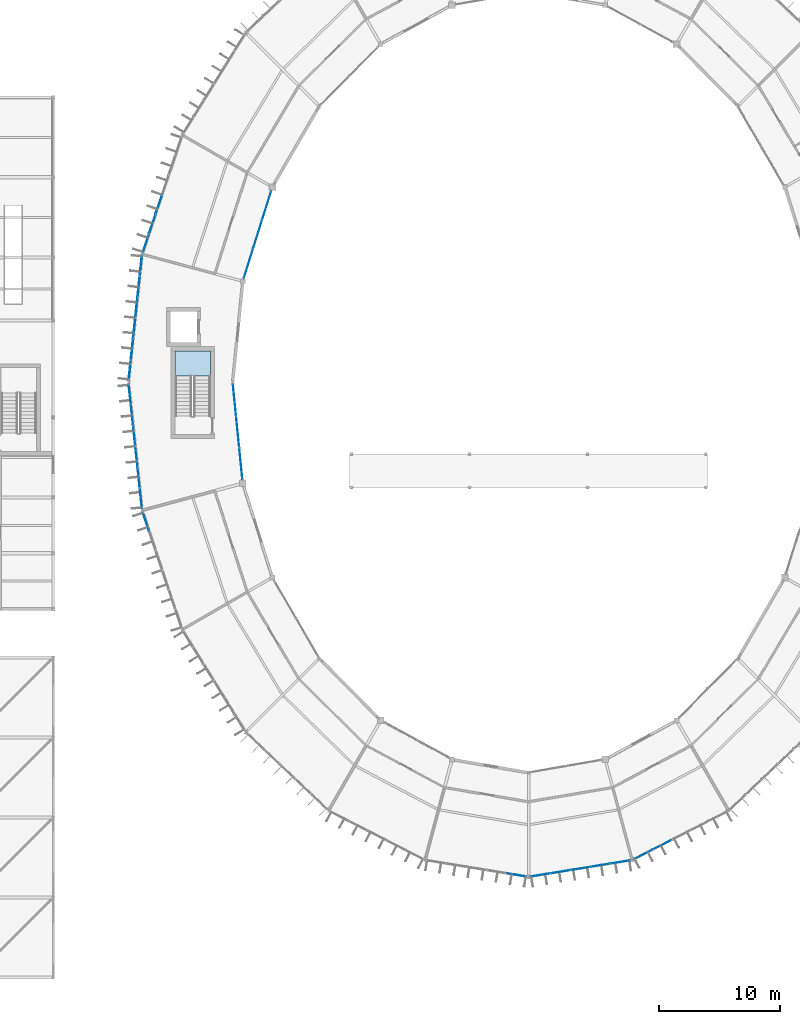
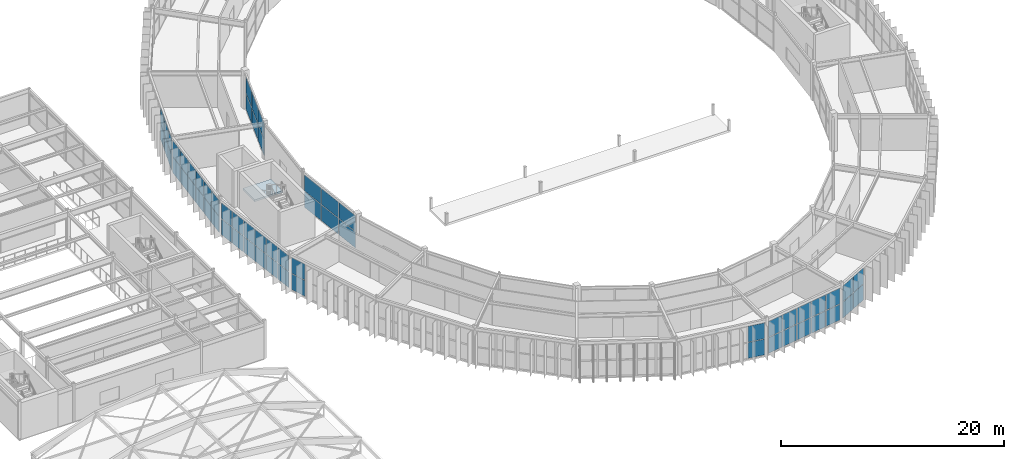
# One storey, part 114 of 157: 60 plates, 1 slab, 10 elements without a shape of their own.
"""IFC4 building model written with IfcOpenShell, lengths in metres."""

from ifc_helpers import new_model, si_unit, direction, frame, origin, origin_2d, place, context, subcontext, project, spatial, polyline, rectangle, outline, extrude, material, layer, layer_set, type_object, element, aggregate, save


model = new_model("IFC4")

# Units and contexts
model_context = context("Model", 3, precision=1e-05, world=origin(), true_north=direction((0.0, 1.0)))
body_context = subcontext(model_context, "Body", "Model", "MODEL_VIEW")
ifc_project = project(units=[si_unit("LENGTHUNIT", "METRE"), si_unit("AREAUNIT", "SQUARE_METRE"), si_unit("VOLUMEUNIT", "CUBIC_METRE"), si_unit("PLANEANGLEUNIT", "RADIAN"), si_unit("MASSUNIT", "GRAM", prefix="KILO")], contexts=[model_context])

# Site, building, storey
site_placement = place(None, origin())
site = spatial("IfcSite", under=ifc_project, at=site_placement, CompositionType="ELEMENT")
building_placement = place(site_placement, origin())
building = spatial("IfcBuilding", under=site, at=building_placement, Name="Karori Crest Natural Sciences Institute", CompositionType="ELEMENT")
storey_placement = place(building_placement, frame((0.0, 0.0, 13.300048828125)))
storey = spatial("IfcBuildingStorey", under=building, at=storey_placement, Name="L03", CompositionType="ELEMENT", Elevation=13.300048828125)

# Curtain wall, plates
ifc_material_1 = material(Name="Anodised architectural aluminium 6063-T6", Category="aluminium")
curtain_wall_type_1 = type_object("IfcCurtainWallType", Name="CWT-11", PredefinedType="NOTDEFINED", material=ifc_material_1)
curtain_wall_1_placement = place(storey_placement, origin())
curtain_wall_1 = element("IfcCurtainWall", 1, at=curtain_wall_1_placement, inside=storey, type_object=curtain_wall_type_1, Name="Curtain wall CW-0116", PredefinedType="NOTDEFINED")
ifc_material_2 = material(Name="Double low-E laminated glass", Category="glass")
ifc_layer_1 = layer(ifc_material_2, 0.02392578125, Name="Double low-E laminated glass")
ifc_layer_set_1 = layer_set([ifc_layer_1], Name="Double low-E laminated glass")
plate_type_1 = type_object("IfcPlateType", Name="CWP-01", PredefinedType="CURTAIN_PANEL", material=ifc_layer_set_1)
plate_1_placement = place(storey_placement, frame((44.796875, 64.49560546875, 0.06005859375), z_axis=(0.0, 0.0, 1.0), x_axis=(-0.299475254154, -0.954104067778, 0.0)))
plate_1 = element("IfcPlate", 2, at=plate_1_placement, type_object=plate_type_1, Name="CW-0116 panel 1.1", PredefinedType="CURTAIN_PANEL", context=body_context, shape_type="SweptSolid", body=[
    extrude(rectangle(XDim=2.451171875, YDim=0.02392578125, at=origin_2d()), origin(), (0.0, 0.0, 1.0), 1.735107421875),
])
plate_2_placement = place(storey_placement, frame((44.796875, 64.49560546875, 1.85498046875), z_axis=(0.0, 0.0, 1.0), x_axis=(-0.299475254154, -0.954104067778, 0.0)))
plate_2 = element("IfcPlate", 3, at=plate_2_placement, type_object=plate_type_1, Name="CW-0116 panel 1.2", PredefinedType="CURTAIN_PANEL", context=body_context, shape_type="SweptSolid", body=[
    extrude(rectangle(XDim=2.451171875, YDim=0.02392578125, at=origin_2d()), origin(), (0.0, 0.0, 1.0), 1.735107421875),
])
plate_3_placement = place(storey_placement, frame((44.038330078125, 62.07958984375, 0.06005859375), z_axis=(0.0, 0.0, 1.0), x_axis=(-0.299475254154, -0.954104067778, 0.0)))
plate_3 = element("IfcPlate", 4, at=plate_3_placement, type_object=plate_type_1, Name="CW-0116 panel 2.1", PredefinedType="CURTAIN_PANEL", context=body_context, shape_type="SweptSolid", body=[
    extrude(rectangle(XDim=2.483642578125, YDim=0.02392578125, at=origin_2d()), origin(), (0.0, 0.0, 1.0), 1.735107421875),
])
plate_4_placement = place(storey_placement, frame((44.038330078125, 62.07958984375, 1.85498046875), z_axis=(0.0, 0.0, 1.0), x_axis=(-0.299475254154, -0.954104067778, 0.0)))
plate_4 = element("IfcPlate", 5, at=plate_4_placement, type_object=plate_type_1, Name="CW-0116 panel 2.2", PredefinedType="CURTAIN_PANEL", context=body_context, shape_type="SweptSolid", body=[
    extrude(rectangle(XDim=2.483642578125, YDim=0.02392578125, at=origin_2d()), origin(), (0.0, 0.0, 1.0), 1.735107421875),
])
plate_5_placement = place(storey_placement, frame((43.280029296875, 59.663330078125, 0.06005859375), z_axis=(0.0, 0.0, 1.0), x_axis=(-0.299475254154, -0.954104067778, 0.0)))
plate_5 = element("IfcPlate", 6, at=plate_5_placement, type_object=plate_type_1, Name="CW-0116 panel 3.1", PredefinedType="CURTAIN_PANEL", context=body_context, shape_type="SweptSolid", body=[
    extrude(rectangle(XDim=2.451171875, YDim=0.02392578125, at=origin_2d()), origin(), (0.0, 0.0, 1.0), 1.735107421875),
])
plate_6_placement = place(storey_placement, frame((43.280029296875, 59.663330078125, 1.85498046875), z_axis=(0.0, 0.0, 1.0), x_axis=(-0.299475254154, -0.954104067778, 0.0)))
plate_6 = element("IfcPlate", 7, at=plate_6_placement, type_object=plate_type_1, Name="CW-0116 panel 3.2", PredefinedType="CURTAIN_PANEL", context=body_context, shape_type="SweptSolid", body=[
    extrude(rectangle(XDim=2.451171875, YDim=0.02392578125, at=origin_2d()), origin(), (0.0, 0.0, 1.0), 1.735107421875),
])
aggregate(curtain_wall_1, [plate_1, plate_2, plate_3, plate_4, plate_5, plate_6])

curtain_wall_type_2 = type_object("IfcCurtainWallType", Name="CWT-03", PredefinedType="NOTDEFINED", material=ifc_material_1)
curtain_wall_2_placement = place(storey_placement, origin())
curtain_wall_2 = element("IfcCurtainWall", 8, at=curtain_wall_2_placement, inside=storey, type_object=curtain_wall_type_2, Name="Curtain wall CW-0118", PredefinedType="NOTDEFINED")
plate_7_placement = place(storey_placement, frame((34.41796875, 40.34033203125, 0.06494140625), z_axis=(0.0, 0.0, 1.0), x_axis=(-0.105884496939, 0.994378435661, 0.0)))
plate_7 = element("IfcPlate", 9, at=plate_7_placement, type_object=plate_type_1, Name="CW-0118 panel 1.1", PredefinedType="CURTAIN_PANEL", context=body_context, shape_type="SweptSolid", body=[
    extrude(rectangle(XDim=1.630126953125, YDim=0.02392578125, at=origin_2d()), origin(), (0.0, 0.0, 1.0), 1.715087890625),
])
plate_8_placement = place(storey_placement, frame((34.41796875, 40.34033203125, 1.8447265625), z_axis=(0.0, 0.0, 1.0), x_axis=(-0.105884496939, 0.994378435661, 0.0)))
plate_8 = element("IfcPlate", 10, at=plate_8_placement, type_object=plate_type_1, Name="CW-0118 panel 1.2", PredefinedType="CURTAIN_PANEL", context=body_context, shape_type="SweptSolid", body=[
    extrude(rectangle(XDim=1.630126953125, YDim=0.02392578125, at=origin_2d()), origin(), (0.0, 0.0, 1.0), 1.715087890625),
])
plate_9_placement = place(storey_placement, frame((34.23681640625, 42.0419921875, 0.06494140625), z_axis=(0.0, 0.0, 1.0), x_axis=(-0.105884496939, 0.994378435661, 0.0)))
plate_9 = element("IfcPlate", 11, at=plate_9_placement, type_object=plate_type_1, Name="CW-0118 panel 2.1", PredefinedType="CURTAIN_PANEL", context=body_context, shape_type="SweptSolid", body=[
    extrude(rectangle(XDim=1.66259765625, YDim=0.02392578125, at=origin_2d()), origin(), (0.0, 0.0, 1.0), 1.715087890625),
])
plate_10_placement = place(storey_placement, frame((34.23681640625, 42.0419921875, 1.8447265625), z_axis=(0.0, 0.0, 1.0), x_axis=(-0.105884496939, 0.994378435661, 0.0)))
plate_10 = element("IfcPlate", 12, at=plate_10_placement, type_object=plate_type_1, Name="CW-0118 panel 2.2", PredefinedType="CURTAIN_PANEL", context=body_context, shape_type="SweptSolid", body=[
    extrude(rectangle(XDim=1.66259765625, YDim=0.02392578125, at=origin_2d()), origin(), (0.0, 0.0, 1.0), 1.715087890625),
])
plate_11_placement = place(storey_placement, frame((34.0537109375, 43.759765625, 0.06494140625), z_axis=(0.0, 0.0, 1.0), x_axis=(-0.105884496939, 0.994378435661, 0.0)))
plate_11 = element("IfcPlate", 13, at=plate_11_placement, type_object=plate_type_1, Name="CW-0118 panel 3.1", PredefinedType="CURTAIN_PANEL", context=body_context, shape_type="SweptSolid", body=[
    extrude(rectangle(XDim=1.66259765625, YDim=0.02392578125, at=origin_2d()), origin(), (0.0, 0.0, 1.0), 1.715087890625),
])
plate_12_placement = place(storey_placement, frame((34.0537109375, 43.759765625, 1.8447265625), z_axis=(0.0, 0.0, 1.0), x_axis=(-0.105884496939, 0.994378435661, 0.0)))
plate_12 = element("IfcPlate", 14, at=plate_12_placement, type_object=plate_type_1, Name="CW-0118 panel 3.2", PredefinedType="CURTAIN_PANEL", context=body_context, shape_type="SweptSolid", body=[
    extrude(rectangle(XDim=1.66259765625, YDim=0.02392578125, at=origin_2d()), origin(), (0.0, 0.0, 1.0), 1.715087890625),
])
plate_13_placement = place(storey_placement, frame((33.870849609375, 45.4775390625, 0.06494140625), z_axis=(0.0, 0.0, 1.0), x_axis=(-0.105884496939, 0.994378435661, 0.0)))
plate_13 = element("IfcPlate", 15, at=plate_13_placement, type_object=plate_type_1, Name="CW-0118 panel 4.1", PredefinedType="CURTAIN_PANEL", context=body_context, shape_type="SweptSolid", body=[
    extrude(rectangle(XDim=1.66259765625, YDim=0.02392578125, at=origin_2d()), origin(), (0.0, 0.0, 1.0), 1.715087890625),
])
plate_14_placement = place(storey_placement, frame((33.870849609375, 45.4775390625, 1.8447265625), z_axis=(0.0, 0.0, 1.0), x_axis=(-0.105884496939, 0.994378435661, 0.0)))
plate_14 = element("IfcPlate", 16, at=plate_14_placement, type_object=plate_type_1, Name="CW-0118 panel 4.2", PredefinedType="CURTAIN_PANEL", context=body_context, shape_type="SweptSolid", body=[
    extrude(rectangle(XDim=1.66259765625, YDim=0.02392578125, at=origin_2d()), origin(), (0.0, 0.0, 1.0), 1.715087890625),
])
plate_15_placement = place(storey_placement, frame((33.68798828125, 47.1953125, 0.06494140625), z_axis=(0.0, 0.0, 1.0), x_axis=(-0.105884496939, 0.994378435661, 0.0)))
plate_15 = element("IfcPlate", 17, at=plate_15_placement, type_object=plate_type_1, Name="CW-0118 panel 5.1", PredefinedType="CURTAIN_PANEL", context=body_context, shape_type="SweptSolid", body=[
    extrude(rectangle(XDim=1.66259765625, YDim=0.02392578125, at=origin_2d()), origin(), (0.0, 0.0, 1.0), 1.715087890625),
])
plate_16_placement = place(storey_placement, frame((33.68798828125, 47.1953125, 1.8447265625), z_axis=(0.0, 0.0, 1.0), x_axis=(-0.105884496939, 0.994378435661, 0.0)))
plate_16 = element("IfcPlate", 18, at=plate_16_placement, type_object=plate_type_1, Name="CW-0118 panel 5.2", PredefinedType="CURTAIN_PANEL", context=body_context, shape_type="SweptSolid", body=[
    extrude(rectangle(XDim=1.66259765625, YDim=0.02392578125, at=origin_2d()), origin(), (0.0, 0.0, 1.0), 1.715087890625),
])
plate_17_placement = place(storey_placement, frame((33.5068359375, 48.89697265625, 0.06494140625), z_axis=(0.0, 0.0, 1.0), x_axis=(-0.105884496939, 0.994378435661, 0.0)))
plate_17 = element("IfcPlate", 19, at=plate_17_placement, type_object=plate_type_1, Name="CW-0118 panel 6.1", PredefinedType="CURTAIN_PANEL", context=body_context, shape_type="SweptSolid", body=[
    extrude(rectangle(XDim=1.630126953125, YDim=0.02392578125, at=origin_2d()), origin(), (0.0, 0.0, 1.0), 1.715087890625),
])
plate_18_placement = place(storey_placement, frame((33.5068359375, 48.89697265625, 1.8447265625), z_axis=(0.0, 0.0, 1.0), x_axis=(-0.105884496939, 0.994378435661, 0.0)))
plate_18 = element("IfcPlate", 20, at=plate_18_placement, type_object=plate_type_1, Name="CW-0118 panel 6.2", PredefinedType="CURTAIN_PANEL", context=body_context, shape_type="SweptSolid", body=[
    extrude(rectangle(XDim=1.630126953125, YDim=0.02392578125, at=origin_2d()), origin(), (0.0, 0.0, 1.0), 1.715087890625),
])
aggregate(curtain_wall_2, [plate_7, plate_8, plate_9, plate_10, plate_11, plate_12, plate_13, plate_14, plate_15, plate_16, plate_17, plate_18])

curtain_wall_type_3 = type_object("IfcCurtainWallType", Name="CWT-13", PredefinedType="NOTDEFINED", material=ifc_material_1)
curtain_wall_3_placement = place(storey_placement, origin())
curtain_wall_3 = element("IfcCurtainWall", 21, at=curtain_wall_3_placement, inside=storey, type_object=curtain_wall_type_3, Name="Curtain wall CW-0119", PredefinedType="NOTDEFINED")
plate_19_placement = place(storey_placement, frame((42.144287109375, 48.45458984375, 0.06005859375), z_axis=(0.0, 0.0, 1.0), x_axis=(0.099268494275, -0.995060684604, 0.0)))
plate_19 = element("IfcPlate", 22, at=plate_19_placement, type_object=plate_type_1, Name="CW-0119 panel 1.1", PredefinedType="CURTAIN_PANEL", context=body_context, shape_type="SweptSolid", body=[
    extrude(rectangle(XDim=2.568359375, YDim=0.02392578125, at=origin_2d()), origin(), (0.0, 0.0, 1.0), 1.735107421875),
])
plate_20_placement = place(storey_placement, frame((42.144287109375, 48.45458984375, 1.85498046875), z_axis=(0.0, 0.0, 1.0), x_axis=(0.099268494275, -0.995060684604, 0.0)))
plate_20 = element("IfcPlate", 23, at=plate_20_placement, type_object=plate_type_1, Name="CW-0119 panel 1.2", PredefinedType="CURTAIN_PANEL", context=body_context, shape_type="SweptSolid", body=[
    extrude(rectangle(XDim=2.568359375, YDim=0.02392578125, at=origin_2d()), origin(), (0.0, 0.0, 1.0), 1.735107421875),
])
plate_21_placement = place(storey_placement, frame((42.4072265625, 45.818115234375, 0.06005859375), z_axis=(0.0, 0.0, 1.0), x_axis=(0.099268494275, -0.995060684604, 0.0)))
plate_21 = element("IfcPlate", 24, at=plate_21_placement, type_object=plate_type_1, Name="CW-0119 panel 2.1", PredefinedType="CURTAIN_PANEL", context=body_context, shape_type="SweptSolid", body=[
    extrude(rectangle(XDim=2.600830078125, YDim=0.02392578125, at=origin_2d()), origin(), (0.0, 0.0, 1.0), 1.735107421875),
])
plate_22_placement = place(storey_placement, frame((42.4072265625, 45.818115234375, 1.85498046875), z_axis=(0.0, 0.0, 1.0), x_axis=(0.099268494275, -0.995060684604, 0.0)))
plate_22 = element("IfcPlate", 25, at=plate_22_placement, type_object=plate_type_1, Name="CW-0119 panel 2.2", PredefinedType="CURTAIN_PANEL", context=body_context, shape_type="SweptSolid", body=[
    extrude(rectangle(XDim=2.600830078125, YDim=0.02392578125, at=origin_2d()), origin(), (0.0, 0.0, 1.0), 1.735107421875),
])
plate_23_placement = place(storey_placement, frame((42.670166015625, 43.181396484375, 0.06005859375), z_axis=(0.0, 0.0, 1.0), x_axis=(0.099268494275, -0.995060684604, 0.0)))
plate_23 = element("IfcPlate", 26, at=plate_23_placement, type_object=plate_type_1, Name="CW-0119 panel 3.1", PredefinedType="CURTAIN_PANEL", context=body_context, shape_type="SweptSolid", body=[
    extrude(rectangle(XDim=2.568359375, YDim=0.02392578125, at=origin_2d()), origin(), (0.0, 0.0, 1.0), 1.735107421875),
])
plate_24_placement = place(storey_placement, frame((42.670166015625, 43.181396484375, 1.85498046875), z_axis=(0.0, 0.0, 1.0), x_axis=(0.099268494275, -0.995060684604, 0.0)))
plate_24 = element("IfcPlate", 27, at=plate_24_placement, type_object=plate_type_1, Name="CW-0119 panel 3.2", PredefinedType="CURTAIN_PANEL", context=body_context, shape_type="SweptSolid", body=[
    extrude(rectangle(XDim=2.568359375, YDim=0.02392578125, at=origin_2d()), origin(), (0.0, 0.0, 1.0), 1.735107421875),
])
aggregate(curtain_wall_3, [plate_19, plate_20, plate_21, plate_22, plate_23, plate_24])

curtain_wall_type_4 = type_object("IfcCurtainWallType", Name="CWT-09", PredefinedType="NOTDEFINED", material=ifc_material_1)
curtain_wall_4_placement = place(storey_placement, origin())
curtain_wall_4 = element("IfcCurtainWall", 28, at=curtain_wall_4_placement, inside=storey, type_object=curtain_wall_type_4, Name="Curtain wall CW-0127", PredefinedType="NOTDEFINED")
plate_25_placement = place(storey_placement, frame((73.970947265625, 10.332275390625, 0.06494140625), z_axis=(0.0, 0.0, 1.0), x_axis=(-0.987011397252, -0.160650246484, 0.0)))
plate_25 = element("IfcPlate", 29, at=plate_25_placement, type_object=plate_type_1, Name="CW-0127 panel 1.1", PredefinedType="CURTAIN_PANEL", context=body_context, shape_type="SweptSolid", body=[
    extrude(rectangle(XDim=1.582275390625, YDim=0.02392578125, at=origin_2d()), origin(), (0.0, 0.0, 1.0), 1.715087890625),
])
plate_26_placement = place(storey_placement, frame((73.970947265625, 10.332275390625, 1.8447265625), z_axis=(0.0, 0.0, 1.0), x_axis=(-0.987011397252, -0.160650246484, 0.0)))
plate_26 = element("IfcPlate", 30, at=plate_26_placement, type_object=plate_type_1, Name="CW-0127 panel 1.2", PredefinedType="CURTAIN_PANEL", context=body_context, shape_type="SweptSolid", body=[
    extrude(rectangle(XDim=1.582275390625, YDim=0.02392578125, at=origin_2d()), origin(), (0.0, 0.0, 1.0), 1.715087890625),
])
plate_27_placement = place(storey_placement, frame((72.328857421875, 10.06494140625, 0.06494140625), z_axis=(0.0, 0.0, 1.0), x_axis=(-0.987011397252, -0.160650246484, 0.0)))
plate_27 = element("IfcPlate", 31, at=plate_27_placement, type_object=plate_type_1, Name="CW-0127 panel 2.1", PredefinedType="CURTAIN_PANEL", context=body_context, shape_type="SweptSolid", body=[
    extrude(rectangle(XDim=1.61474609375, YDim=0.02392578125, at=origin_2d()), origin(), (0.0, 0.0, 1.0), 1.715087890625),
])
plate_28_placement = place(storey_placement, frame((72.328857421875, 10.06494140625, 1.8447265625), z_axis=(0.0, 0.0, 1.0), x_axis=(-0.987011397252, -0.160650246484, 0.0)))
plate_28 = element("IfcPlate", 32, at=plate_28_placement, type_object=plate_type_1, Name="CW-0127 panel 2.2", PredefinedType="CURTAIN_PANEL", context=body_context, shape_type="SweptSolid", body=[
    extrude(rectangle(XDim=1.61474609375, YDim=0.02392578125, at=origin_2d()), origin(), (0.0, 0.0, 1.0), 1.715087890625),
])
plate_29_placement = place(storey_placement, frame((70.6708984375, 9.795166015625, 0.06494140625), z_axis=(0.0, 0.0, 1.0), x_axis=(-0.987011397252, -0.160650246484, 0.0)))
plate_29 = element("IfcPlate", 33, at=plate_29_placement, type_object=plate_type_1, Name="CW-0127 panel 3.1", PredefinedType="CURTAIN_PANEL", context=body_context, shape_type="SweptSolid", body=[
    extrude(rectangle(XDim=1.61474609375, YDim=0.02392578125, at=origin_2d()), origin(), (0.0, 0.0, 1.0), 1.715087890625),
])
plate_30_placement = place(storey_placement, frame((70.6708984375, 9.795166015625, 1.8447265625), z_axis=(0.0, 0.0, 1.0), x_axis=(-0.987011397252, -0.160650246484, 0.0)))
plate_30 = element("IfcPlate", 34, at=plate_30_placement, type_object=plate_type_1, Name="CW-0127 panel 3.2", PredefinedType="CURTAIN_PANEL", context=body_context, shape_type="SweptSolid", body=[
    extrude(rectangle(XDim=1.61474609375, YDim=0.02392578125, at=origin_2d()), origin(), (0.0, 0.0, 1.0), 1.715087890625),
])
plate_31_placement = place(storey_placement, frame((69.012939453125, 9.525390625, 0.06494140625), z_axis=(0.0, 0.0, 1.0), x_axis=(-0.987011397252, -0.160650246484, 0.0)))
plate_31 = element("IfcPlate", 35, at=plate_31_placement, type_object=plate_type_1, Name="CW-0127 panel 4.1", PredefinedType="CURTAIN_PANEL", context=body_context, shape_type="SweptSolid", body=[
    extrude(rectangle(XDim=1.61474609375, YDim=0.02392578125, at=origin_2d()), origin(), (0.0, 0.0, 1.0), 1.715087890625),
])
plate_32_placement = place(storey_placement, frame((69.012939453125, 9.525390625, 1.8447265625), z_axis=(0.0, 0.0, 1.0), x_axis=(-0.987011397252, -0.160650246484, 0.0)))
plate_32 = element("IfcPlate", 36, at=plate_32_placement, type_object=plate_type_1, Name="CW-0127 panel 4.2", PredefinedType="CURTAIN_PANEL", context=body_context, shape_type="SweptSolid", body=[
    extrude(rectangle(XDim=1.61474609375, YDim=0.02392578125, at=origin_2d()), origin(), (0.0, 0.0, 1.0), 1.715087890625),
])
plate_33_placement = place(storey_placement, frame((67.37109375, 9.258056640625, 0.06494140625), z_axis=(0.0, 0.0, 1.0), x_axis=(-0.987011397252, -0.160650246484, 0.0)))
plate_33 = element("IfcPlate", 37, at=plate_33_placement, type_object=plate_type_1, Name="CW-0127 panel 5.1", PredefinedType="CURTAIN_PANEL", context=body_context, shape_type="SweptSolid", body=[
    extrude(rectangle(XDim=1.582275390625, YDim=0.02392578125, at=origin_2d()), origin(), (0.0, 0.0, 1.0), 1.715087890625),
])
plate_34_placement = place(storey_placement, frame((67.37109375, 9.258056640625, 1.8447265625), z_axis=(0.0, 0.0, 1.0), x_axis=(-0.987011397252, -0.160650246484, 0.0)))
plate_34 = element("IfcPlate", 38, at=plate_34_placement, type_object=plate_type_1, Name="CW-0127 panel 5.2", PredefinedType="CURTAIN_PANEL", context=body_context, shape_type="SweptSolid", body=[
    extrude(rectangle(XDim=1.582275390625, YDim=0.02392578125, at=origin_2d()), origin(), (0.0, 0.0, 1.0), 1.715087890625),
])
aggregate(curtain_wall_4, [plate_25, plate_26, plate_27, plate_28, plate_29, plate_30, plate_31, plate_32, plate_33, plate_34])

curtain_wall_type_5 = type_object("IfcCurtainWallType", Name="CWT-01", PredefinedType="NOTDEFINED", material=ifc_material_1)
curtain_wall_5_placement = place(storey_placement, origin())
curtain_wall_5 = element("IfcCurtainWall", 39, at=curtain_wall_5_placement, inside=storey, type_object=curtain_wall_type_5, Name="Curtain wall CW-0115", PredefinedType="NOTDEFINED")
ifc_layer_2 = layer(ifc_material_2, 0.033935546875, Name="Double low-E laminated glass")
ifc_layer_set_2 = layer_set([ifc_layer_2], Name="Double low-E laminated glass")
plate_type_2 = type_object("IfcPlateType", Name="CWP-02", PredefinedType="CURTAIN_PANEL", material=ifc_layer_set_2)
plate_35_placement = place(storey_placement, frame((34.8251953125, 61.357421875, 0.06494140625), z_axis=(0.0, 0.0, 1.0), x_axis=(0.317679803392, 0.94819805026, 0.0)))
plate_35 = element("IfcPlate", 40, at=plate_35_placement, type_object=plate_type_2, Name="CW-0115 panel 1.1", PredefinedType="CURTAIN_PANEL", context=body_context, shape_type="SweptSolid", body=[
    extrude(rectangle(XDim=1.59619140625, YDim=0.033935546875, at=origin_2d()), origin(), (0.0, 0.0, 1.0), 1.715087890625),
])
plate_36_placement = place(storey_placement, frame((34.8251953125, 61.357421875, 1.8447265625), z_axis=(0.0, 0.0, 1.0), x_axis=(0.317679803392, 0.94819805026, 0.0)))
plate_36 = element("IfcPlate", 41, at=plate_36_placement, type_object=plate_type_2, Name="CW-0115 panel 1.2", PredefinedType="CURTAIN_PANEL", context=body_context, shape_type="SweptSolid", body=[
    extrude(rectangle(XDim=1.59619140625, YDim=0.033935546875, at=origin_2d()), origin(), (0.0, 0.0, 1.0), 1.715087890625),
])
plate_37_placement = place(storey_placement, frame((35.35791015625, 62.947998046875, 0.06494140625), z_axis=(0.0, 0.0, 1.0), x_axis=(0.317679803392, 0.94819805026, 0.0)))
plate_37 = element("IfcPlate", 42, at=plate_37_placement, type_object=plate_type_2, Name="CW-0115 panel 2.1", PredefinedType="CURTAIN_PANEL", context=body_context, shape_type="SweptSolid", body=[
    extrude(rectangle(XDim=1.628662109375, YDim=0.033935546875, at=origin_2d()), origin(), (0.0, 0.0, 1.0), 1.715087890625),
])
plate_38_placement = place(storey_placement, frame((35.35791015625, 62.947998046875, 1.8447265625), z_axis=(0.0, 0.0, 1.0), x_axis=(0.317679803392, 0.94819805026, 0.0)))
plate_38 = element("IfcPlate", 43, at=plate_38_placement, type_object=plate_type_2, Name="CW-0115 panel 2.2", PredefinedType="CURTAIN_PANEL", context=body_context, shape_type="SweptSolid", body=[
    extrude(rectangle(XDim=1.628662109375, YDim=0.033935546875, at=origin_2d()), origin(), (0.0, 0.0, 1.0), 1.715087890625),
])
plate_39_placement = place(storey_placement, frame((35.89599609375, 64.553955078125, 0.06494140625), z_axis=(0.0, 0.0, 1.0), x_axis=(0.317679803392, 0.94819805026, 0.0)))
plate_39 = element("IfcPlate", 44, at=plate_39_placement, type_object=plate_type_2, Name="CW-0115 panel 3.1", PredefinedType="CURTAIN_PANEL", context=body_context, shape_type="SweptSolid", body=[
    extrude(rectangle(XDim=1.628662109375, YDim=0.033935546875, at=origin_2d()), origin(), (0.0, 0.0, 1.0), 1.715087890625),
])
plate_40_placement = place(storey_placement, frame((35.89599609375, 64.553955078125, 1.8447265625), z_axis=(0.0, 0.0, 1.0), x_axis=(0.317679803392, 0.94819805026, 0.0)))
plate_40 = element("IfcPlate", 45, at=plate_40_placement, type_object=plate_type_2, Name="CW-0115 panel 3.2", PredefinedType="CURTAIN_PANEL", context=body_context, shape_type="SweptSolid", body=[
    extrude(rectangle(XDim=1.628662109375, YDim=0.033935546875, at=origin_2d()), origin(), (0.0, 0.0, 1.0), 1.715087890625),
])
aggregate(curtain_wall_5, [plate_35, plate_36, plate_37, plate_38, plate_39, plate_40])

curtain_wall_type_6 = type_object("IfcCurtainWallType", Name="CWT-04", PredefinedType="NOTDEFINED", material=ifc_material_1)
curtain_wall_6_placement = place(storey_placement, origin())
curtain_wall_6 = element("IfcCurtainWall", 46, at=curtain_wall_6_placement, inside=storey, type_object=curtain_wall_type_6, Name="Curtain wall CW-0120", PredefinedType="NOTDEFINED")
plate_41_placement = place(storey_placement, frame((34.840576171875, 38.396728515625, 0.06005859375), z_axis=(0.0, 0.0, 1.0), x_axis=(-0.317679803392, 0.94819805026, 0.0)))
plate_41 = element("IfcPlate", 47, at=plate_41_placement, type_object=plate_type_2, Name="CW-0120 panel 6.1", PredefinedType="CURTAIN_PANEL", context=body_context, shape_type="SweptSolid", body=[
    extrude(rectangle(XDim=1.59619140625, YDim=0.033935546875, at=origin_2d()), origin(), (0.0, 0.0, 1.0), 1.722412109375),
])
plate_42_placement = place(storey_placement, frame((34.840576171875, 38.396728515625, 1.84228515625), z_axis=(0.0, 0.0, 1.0), x_axis=(-0.317679803392, 0.94819805026, 0.0)))
plate_42 = element("IfcPlate", 48, at=plate_42_placement, type_object=plate_type_2, Name="CW-0120 panel 6.2", PredefinedType="CURTAIN_PANEL", context=body_context, shape_type="SweptSolid", body=[
    extrude(rectangle(XDim=1.59619140625, YDim=0.033935546875, at=origin_2d()), origin(), (0.0, 0.0, 1.0), 1.722412109375),
])
aggregate(curtain_wall_6, [plate_41, plate_42])

curtain_wall_type_7 = type_object("IfcCurtainWallType", Name="CWT-10", PredefinedType="NOTDEFINED", material=ifc_material_1)
curtain_wall_7_placement = place(storey_placement, origin())
curtain_wall_7 = element("IfcCurtainWall", 49, at=curtain_wall_7_placement, inside=storey, type_object=curtain_wall_type_7, Name="Curtain wall CW-0129", PredefinedType="NOTDEFINED")
plate_43_placement = place(storey_placement, frame((77.393798828125, 11.746337890625, 0.06005859375), z_axis=(0.0, 0.0, 1.0), x_axis=(-0.890067432138, -0.455828878252, 0.0)))
plate_43 = element("IfcPlate", 50, at=plate_43_placement, type_object=plate_type_2, Name="CW-0129 panel 4.1", PredefinedType="CURTAIN_PANEL", context=body_context, shape_type="SweptSolid", body=[
    extrude(rectangle(XDim=1.678466796875, YDim=0.033935546875, at=origin_2d()), origin(), (0.0, 0.0, 1.0), 1.722412109375),
])
plate_44_placement = place(storey_placement, frame((77.393798828125, 11.746337890625, 1.84228515625), z_axis=(0.0, 0.0, 1.0), x_axis=(-0.890067432138, -0.455828878252, 0.0)))
plate_44 = element("IfcPlate", 51, at=plate_44_placement, type_object=plate_type_2, Name="CW-0129 panel 4.2", PredefinedType="CURTAIN_PANEL", context=body_context, shape_type="SweptSolid", body=[
    extrude(rectangle(XDim=1.678466796875, YDim=0.033935546875, at=origin_2d()), origin(), (0.0, 0.0, 1.0), 1.722412109375),
])
plate_45_placement = place(storey_placement, frame((75.8564453125, 10.958984375, 0.06005859375), z_axis=(0.0, 0.0, 1.0), x_axis=(-0.890067432138, -0.455828878252, 0.0)))
plate_45 = element("IfcPlate", 52, at=plate_45_placement, type_object=plate_type_2, Name="CW-0129 panel 5.1", PredefinedType="CURTAIN_PANEL", context=body_context, shape_type="SweptSolid", body=[
    extrude(rectangle(XDim=1.645751953125, YDim=0.033935546875, at=origin_2d()), origin(), (0.0, 0.0, 1.0), 1.722412109375),
])
plate_46_placement = place(storey_placement, frame((75.8564453125, 10.958984375, 1.84228515625), z_axis=(0.0, 0.0, 1.0), x_axis=(-0.890067432138, -0.455828878252, 0.0)))
plate_46 = element("IfcPlate", 53, at=plate_46_placement, type_object=plate_type_2, Name="CW-0129 panel 5.2", PredefinedType="CURTAIN_PANEL", context=body_context, shape_type="SweptSolid", body=[
    extrude(rectangle(XDim=1.645751953125, YDim=0.033935546875, at=origin_2d()), origin(), (0.0, 0.0, 1.0), 1.722412109375),
])
aggregate(curtain_wall_7, [plate_43, plate_44, plate_45, plate_46])

curtain_wall_type_8 = type_object("IfcCurtainWallType", Name="CWT-02", PredefinedType="NOTDEFINED", material=ifc_material_1)
curtain_wall_8_placement = place(storey_placement, origin())
curtain_wall_8 = element("IfcCurtainWall", 54, at=curtain_wall_8_placement, inside=storey, type_object=curtain_wall_type_8, Name="Curtain wall CW-0117", PredefinedType="NOTDEFINED")
ifc_layer_3 = layer(ifc_material_2, 0.0439453125, Name="Double low-E laminated glass")
ifc_layer_set_3 = layer_set([ifc_layer_3], Name="Double low-E laminated glass")
plate_type_3 = type_object("IfcPlateType", Name="CWP-03", PredefinedType="CURTAIN_PANEL", material=ifc_layer_set_3)
plate_47_placement = place(storey_placement, frame((33.507080078125, 50.906982421875, 0.06005859375), z_axis=(0.0, 0.0, 1.0), x_axis=(0.105885677057, 0.994378309998, 0.0)))
plate_47 = element("IfcPlate", 55, at=plate_47_placement, type_object=plate_type_3, Name="CW-0117 panel 1.1", PredefinedType="CURTAIN_PANEL", context=body_context, shape_type="SweptSolid", body=[
    extrude(rectangle(XDim=1.6376953125, YDim=0.0439453125, at=origin_2d()), origin(), (0.0, 0.0, 1.0), 1.722412109375),
])
plate_48_placement = place(storey_placement, frame((33.507080078125, 50.906982421875, 1.84228515625), z_axis=(0.0, 0.0, 1.0), x_axis=(0.105885677057, 0.994378309998, 0.0)))
plate_48 = element("IfcPlate", 56, at=plate_48_placement, type_object=plate_type_3, Name="CW-0117 panel 1.2", PredefinedType="CURTAIN_PANEL", context=body_context, shape_type="SweptSolid", body=[
    extrude(rectangle(XDim=1.6376953125, YDim=0.0439453125, at=origin_2d()), origin(), (0.0, 0.0, 1.0), 1.722412109375),
])
plate_49_placement = place(storey_placement, frame((33.689208984375, 52.6162109375, 0.06005859375), z_axis=(0.0, 0.0, 1.0), x_axis=(0.105885677057, 0.994378309998, 0.0)))
plate_49 = element("IfcPlate", 57, at=plate_49_placement, type_object=plate_type_3, Name="CW-0117 panel 2.1", PredefinedType="CURTAIN_PANEL", context=body_context, shape_type="SweptSolid", body=[
    extrude(rectangle(XDim=1.670166015625, YDim=0.0439453125, at=origin_2d()), origin(), (0.0, 0.0, 1.0), 1.722412109375),
])
plate_50_placement = place(storey_placement, frame((33.689208984375, 52.6162109375, 1.84228515625), z_axis=(0.0, 0.0, 1.0), x_axis=(0.105885677057, 0.994378309998, 0.0)))
plate_50 = element("IfcPlate", 58, at=plate_50_placement, type_object=plate_type_3, Name="CW-0117 panel 2.2", PredefinedType="CURTAIN_PANEL", context=body_context, shape_type="SweptSolid", body=[
    extrude(rectangle(XDim=1.670166015625, YDim=0.0439453125, at=origin_2d()), origin(), (0.0, 0.0, 1.0), 1.722412109375),
])
plate_51_placement = place(storey_placement, frame((33.873046875, 54.341552734375, 0.06005859375), z_axis=(0.0, 0.0, 1.0), x_axis=(0.105885677057, 0.994378309998, 0.0)))
plate_51 = element("IfcPlate", 59, at=plate_51_placement, type_object=plate_type_3, Name="CW-0117 panel 3.1", PredefinedType="CURTAIN_PANEL", context=body_context, shape_type="SweptSolid", body=[
    extrude(rectangle(XDim=1.670166015625, YDim=0.0439453125, at=origin_2d()), origin(), (0.0, 0.0, 1.0), 1.722412109375),
])
plate_52_placement = place(storey_placement, frame((33.873046875, 54.341552734375, 1.84228515625), z_axis=(0.0, 0.0, 1.0), x_axis=(0.105885677057, 0.994378309998, 0.0)))
plate_52 = element("IfcPlate", 60, at=plate_52_placement, type_object=plate_type_3, Name="CW-0117 panel 3.2", PredefinedType="CURTAIN_PANEL", context=body_context, shape_type="SweptSolid", body=[
    extrude(rectangle(XDim=1.670166015625, YDim=0.0439453125, at=origin_2d()), origin(), (0.0, 0.0, 1.0), 1.722412109375),
])
plate_53_placement = place(storey_placement, frame((34.056640625, 56.067138671875, 0.06005859375), z_axis=(0.0, 0.0, 1.0), x_axis=(0.105885677057, 0.994378309998, 0.0)))
plate_53 = element("IfcPlate", 61, at=plate_53_placement, type_object=plate_type_3, Name="CW-0117 panel 4.1", PredefinedType="CURTAIN_PANEL", context=body_context, shape_type="SweptSolid", body=[
    extrude(rectangle(XDim=1.670166015625, YDim=0.0439453125, at=origin_2d()), origin(), (0.0, 0.0, 1.0), 1.722412109375),
])
plate_54_placement = place(storey_placement, frame((34.056640625, 56.067138671875, 1.84228515625), z_axis=(0.0, 0.0, 1.0), x_axis=(0.105885677057, 0.994378309998, 0.0)))
plate_54 = element("IfcPlate", 62, at=plate_54_placement, type_object=plate_type_3, Name="CW-0117 panel 4.2", PredefinedType="CURTAIN_PANEL", context=body_context, shape_type="SweptSolid", body=[
    extrude(rectangle(XDim=1.670166015625, YDim=0.0439453125, at=origin_2d()), origin(), (0.0, 0.0, 1.0), 1.722412109375),
])
plate_55_placement = place(storey_placement, frame((34.240478515625, 57.79248046875, 0.06005859375), z_axis=(0.0, 0.0, 1.0), x_axis=(0.105885677057, 0.994378309998, 0.0)))
plate_55 = element("IfcPlate", 63, at=plate_55_placement, type_object=plate_type_3, Name="CW-0117 panel 5.1", PredefinedType="CURTAIN_PANEL", context=body_context, shape_type="SweptSolid", body=[
    extrude(rectangle(XDim=1.670166015625, YDim=0.0439453125, at=origin_2d()), origin(), (0.0, 0.0, 1.0), 1.722412109375),
])
plate_56_placement = place(storey_placement, frame((34.240478515625, 57.79248046875, 1.84228515625), z_axis=(0.0, 0.0, 1.0), x_axis=(0.105885677057, 0.994378309998, 0.0)))
plate_56 = element("IfcPlate", 64, at=plate_56_placement, type_object=plate_type_3, Name="CW-0117 panel 5.2", PredefinedType="CURTAIN_PANEL", context=body_context, shape_type="SweptSolid", body=[
    extrude(rectangle(XDim=1.670166015625, YDim=0.0439453125, at=origin_2d()), origin(), (0.0, 0.0, 1.0), 1.722412109375),
])
plate_57_placement = place(storey_placement, frame((34.42236328125, 59.501708984375, 0.06005859375), z_axis=(0.0, 0.0, 1.0), x_axis=(0.105885677057, 0.994378309998, 0.0)))
plate_57 = element("IfcPlate", 65, at=plate_57_placement, type_object=plate_type_3, Name="CW-0117 panel 6.1", PredefinedType="CURTAIN_PANEL", context=body_context, shape_type="SweptSolid", body=[
    extrude(rectangle(XDim=1.6376953125, YDim=0.0439453125, at=origin_2d()), origin(), (0.0, 0.0, 1.0), 1.722412109375),
])
plate_58_placement = place(storey_placement, frame((34.42236328125, 59.501708984375, 1.84228515625), z_axis=(0.0, 0.0, 1.0), x_axis=(0.105885677057, 0.994378309998, 0.0)))
plate_58 = element("IfcPlate", 66, at=plate_58_placement, type_object=plate_type_3, Name="CW-0117 panel 6.2", PredefinedType="CURTAIN_PANEL", context=body_context, shape_type="SweptSolid", body=[
    extrude(rectangle(XDim=1.6376953125, YDim=0.0439453125, at=origin_2d()), origin(), (0.0, 0.0, 1.0), 1.722412109375),
])
aggregate(curtain_wall_8, [plate_47, plate_48, plate_49, plate_50, plate_51, plate_52, plate_53, plate_54, plate_55, plate_56, plate_57, plate_58])

curtain_wall_type_9 = type_object("IfcCurtainWallType", Name="CWT-08", PredefinedType="NOTDEFINED", material=ifc_material_1)
curtain_wall_9_placement = place(storey_placement, origin())
curtain_wall_9 = element("IfcCurtainWall", 67, at=curtain_wall_9_placement, inside=storey, type_object=curtain_wall_type_9, Name="Curtain wall CW-0126", PredefinedType="NOTDEFINED")
plate_59_placement = place(storey_placement, frame((65.424072265625, 9.2587890625, 0.06005859375), z_axis=(0.0, 0.0, 1.0), x_axis=(-0.987010543275, 0.160655493101, 0.0)))
plate_59 = element("IfcPlate", 68, at=plate_59_placement, type_object=plate_type_3, Name="CW-0126 panel 1.1", PredefinedType="CURTAIN_PANEL", context=body_context, shape_type="SweptSolid", body=[
    extrude(rectangle(XDim=1.592529296875, YDim=0.0439453125, at=origin_2d()), origin(), (0.0, 0.0, 1.0), 1.722412109375),
])
plate_60_placement = place(storey_placement, frame((65.424072265625, 9.2587890625, 1.84228515625), z_axis=(0.0, 0.0, 1.0), x_axis=(-0.987010543275, 0.160655493101, 0.0)))
plate_60 = element("IfcPlate", 69, at=plate_60_placement, type_object=plate_type_3, Name="CW-0126 panel 1.2", PredefinedType="CURTAIN_PANEL", context=body_context, shape_type="SweptSolid", body=[
    extrude(rectangle(XDim=1.592529296875, YDim=0.0439453125, at=origin_2d()), origin(), (0.0, 0.0, 1.0), 1.722412109375),
])
aggregate(curtain_wall_9, [plate_59, plate_60])

# Stair, slab
ifc_material_3 = material(Name="Concrete 40 MPa", Category="concrete")
stair_type = type_object("IfcStairType", Name="STT-01", PredefinedType="HALF_TURN_STAIR", material=ifc_material_3)
stair_placement = place(storey_placement, origin())
stair = element("IfcStair", 70, at=stair_placement, inside=storey, type_object=stair_type, Name="Protected stair ST-02-L03", PredefinedType="HALF_TURN_STAIR")
ifc_layer_4 = layer(ifc_material_3, 0.2099609375, Name="Concrete 40 MPa")
ifc_layer_set_4 = layer_set([ifc_layer_4], Name="Concrete 40 MPa")
slab_type = type_object("IfcSlabType", Name="SLT-11", PredefinedType="LANDING", material=ifc_layer_set_4)
slab_placement = place(storey_placement, frame((0.0, 0.0, 1.889892578125)))
slab = element("IfcSlab", 71, at=slab_placement, type_object=slab_type, Name="ST-02-L03 landing 1", PredefinedType="LANDING", context=body_context, shape_type="SweptSolid", body=[
    extrude(outline(polyline([(40.14990234375, 50.39990234375), (40.14990234375, 52.5), (37.25, 52.5), (37.25, 50.39990234375), (40.14990234375, 50.39990234375)])), origin(), (0.0, 0.0, 1.0), 0.2099609375),
])
aggregate(stair, [slab])

save(model, "model.ifc")
